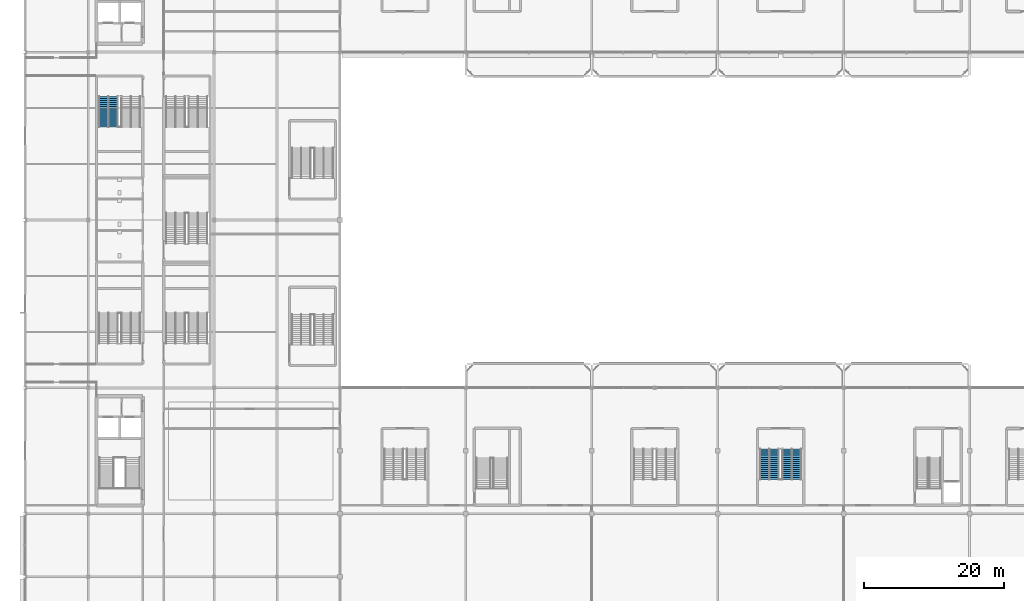
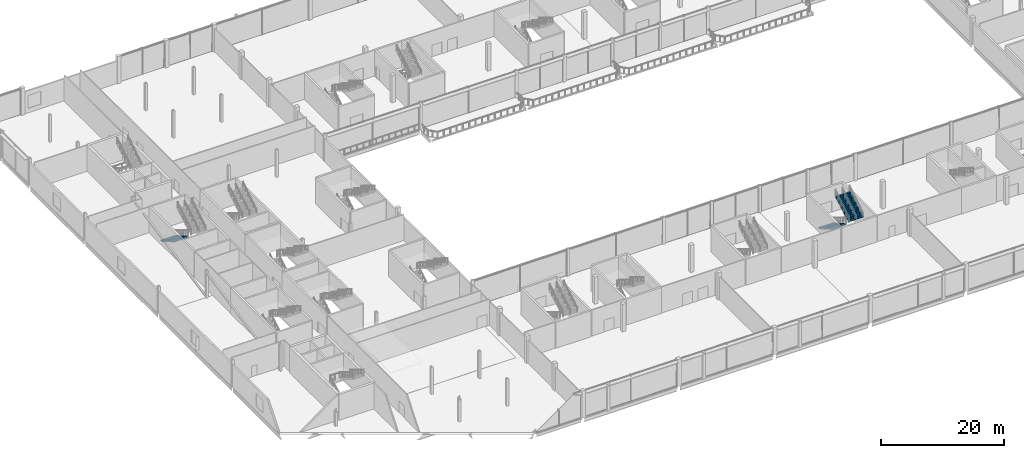
# One storey, part 84 of 113: 3 stair flights, 2 elements without a shape of their own.
"""IFC4 building model written with IfcOpenShell, lengths in metres."""

from ifc_helpers import new_model, si_unit, direction, frame, origin, place, context, subcontext, project, spatial, polygons, material, type_object, element, aggregate, save


model = new_model("IFC4")

# Units and contexts
model_context = context("Model", 3, precision=1e-05, world=origin(), true_north=direction((0.0, 1.0)))
body_context = subcontext(model_context, "Body", "Model", "MODEL_VIEW")
ifc_project = project(units=[si_unit("LENGTHUNIT", "METRE"), si_unit("AREAUNIT", "SQUARE_METRE"), si_unit("VOLUMEUNIT", "CUBIC_METRE"), si_unit("PLANEANGLEUNIT", "RADIAN"), si_unit("MASSUNIT", "GRAM", prefix="KILO")], contexts=[model_context])

# Site, building, storey
site_placement = place(None, origin())
site = spatial("IfcSite", under=ifc_project, at=site_placement, CompositionType="ELEMENT")
building_placement = place(site_placement, origin())
building = spatial("IfcBuilding", under=site, at=building_placement, Name="Kisiwana Market Hall", CompositionType="ELEMENT")
storey_placement = place(building_placement, frame((0.0, 0.0, 6.0)))
storey = spatial("IfcBuildingStorey", under=building, at=storey_placement, Name="L01", CompositionType="ELEMENT", Elevation=6.0)

# Stair, stair flight
ifc_material_1 = material(Name="Concrete C32/40", Category="concrete")
stair_type = type_object("IfcStairType", Name="ST-ESC-5400", PredefinedType="TWO_STRAIGHT_RUN_STAIR", material=ifc_material_1)
stair_1_placement = place(storey_placement, origin())
stair_1 = element("IfcStair", 1, at=stair_1_placement, inside=storey, type_object=stair_type, Name="Escape stair ST-W4-L01", PredefinedType="TWO_STRAIGHT_RUN_STAIR")
ifc_material_2 = material(Name="Concrete C32/40", Category="concrete")
stair_flight_type = type_object("IfcStairFlightType", Name="SF-ESC-5400", PredefinedType="STRAIGHT", material=ifc_material_2)
stair_flight_1_placement = place(storey_placement, frame((11.889892578125, 77.639892578125, 0.0), z_axis=(0.0, 0.0, 1.0), x_axis=(0.0, -1.0, 0.0)))
stair_flight_1 = element("IfcStairFlight", 2, at=stair_flight_1_placement, type_object=stair_flight_type, Name="ST-W4-L01 flight 1", NumberOfRisers=16, NumberOfTreads=15, PredefinedType="STRAIGHT", RiserHeight=0.16875, TreadLength=0.29, context=body_context, shape_type="Tessellation", body=[
    polygons([(0.0, -1.380127, 0.0), (0.0, -0.690125, 0.0), (0.0, -0.000122, 0.0), (0.0, 0.68988, 0.0), (0.0, 1.379883, 0.0), (0.0, -1.380127, 0.168701), (0.0, -0.690125, 0.168701), (0.0, -0.000122, 0.168701), (0.0, 0.68988, 0.168701), (0.0, 1.379883, 0.168701), (0.290039, -1.380127, 0.168701), (0.290039, -0.690125, 0.168701), (0.290039, -0.000122, 0.168701), (0.290039, 0.68988, 0.168701), (0.290039, 1.379883, 0.168701), (0.290039, -1.380127, 0.337402), (0.290039, -0.690125, 0.337402), (0.290039, -0.000122, 0.337402), (0.290039, 0.68988, 0.337402), (0.290039, 1.379883, 0.337402), (0.580078, -1.380127, 0.337402), (0.580078, -0.690125, 0.337402), (0.580078, -0.000122, 0.337402), (0.580078, 0.68988, 0.337402), (0.580078, 1.379883, 0.337402), (0.580078, -1.380127, 0.506348), (0.580078, -0.690125, 0.506348), (0.580078, -0.000122, 0.506348), (0.580078, 0.68988, 0.506348), (0.580078, 1.379883, 0.506348), (0.870117, -1.380127, 0.506348), (0.870117, -0.690125, 0.506348), (0.870117, -0.000122, 0.506348), (0.870117, 0.68988, 0.506348), (0.870117, 1.379883, 0.506348), (0.870117, -1.380127, 0.675049), (0.870117, -0.690125, 0.675049), (0.870117, -0.000122, 0.675049), (0.870117, 0.68988, 0.675049), (0.870117, 1.379883, 0.675049), (1.159912, -1.380127, 0.675049), (1.159912, -0.690125, 0.675049), (1.159912, -0.000122, 0.675049), (1.159912, 0.68988, 0.675049), (1.159912, 1.379883, 0.675049), (1.159912, -1.380127, 0.84375), (1.159912, -0.690125, 0.84375), (1.159912, -0.000122, 0.84375), (1.159912, 0.68988, 0.84375), (1.159912, 1.379883, 0.84375), (1.449951, -1.380127, 0.84375), (1.449951, -0.690125, 0.84375), (1.449951, -0.000122, 0.84375), (1.449951, 0.68988, 0.84375), (1.449951, 1.379883, 0.84375), (1.449951, -1.380127, 1.012451), (1.449951, -0.690125, 1.012451), (1.449951, -0.000122, 1.012451), (1.449951, 0.68988, 1.012451), (1.449951, 1.379883, 1.012451), (1.73999, -1.380127, 1.012451), (1.73999, -0.690125, 1.012451), (1.73999, -0.000122, 1.012451), (1.73999, 0.68988, 1.012451), (1.73999, 1.379883, 1.012451), (1.73999, -1.380127, 1.181152), (1.73999, -0.690125, 1.181152), (1.73999, -0.000122, 1.181152), (1.73999, 0.68988, 1.181152), (1.73999, 1.379883, 1.181152), (2.030029, -1.380127, 1.181152), (2.030029, -0.690125, 1.181152), (2.030029, -0.000122, 1.181152), (2.030029, 0.68988, 1.181152), (2.030029, 1.379883, 1.181152), (2.030029, -1.380127, 1.350098), (2.030029, -0.690125, 1.350098), (2.030029, -0.000122, 1.350098), (2.030029, 0.68988, 1.350098), (2.030029, 1.379883, 1.350098), (2.320068, -1.380127, 1.350098), (2.320068, -0.690125, 1.350098), (2.320068, -0.000122, 1.350098), (2.320068, 0.68988, 1.350098), (2.320068, 1.379883, 1.350098), (2.320068, -1.380127, 1.518799), (2.320068, -0.690125, 1.518799), (2.320068, -0.000122, 1.518799), (2.320068, 0.68988, 1.518799), (2.320068, 1.379883, 1.518799), (2.610107, -1.380127, 1.518799), (2.610107, -0.690125, 1.518799), (2.610107, -0.000122, 1.518799), (2.610107, 0.68988, 1.518799), (2.610107, 1.379883, 1.518799), (2.610107, -1.380127, 1.6875), (2.610107, -0.690125, 1.6875), (2.610107, -0.000122, 1.6875), (2.610107, 0.68988, 1.6875), (2.610107, 1.379883, 1.6875), (2.899902, -1.380127, 1.6875), (2.899902, -0.690125, 1.6875), (2.899902, -0.000122, 1.6875), (2.899902, 0.68988, 1.6875), (2.899902, 1.379883, 1.6875), (2.899902, -1.380127, 1.856201), (2.899902, -0.690125, 1.856201), (2.899902, -0.000122, 1.856201), (2.899902, 0.68988, 1.856201), (2.899902, 1.379883, 1.856201), (3.189941, -1.380127, 1.856201), (3.189941, -0.690125, 1.856201), (3.189941, -0.000122, 1.856201), (3.189941, 0.68988, 1.856201), (3.189941, 1.379883, 1.856201), (3.189941, -1.380127, 2.024902), (3.189941, -0.690125, 2.024902), (3.189941, -0.000122, 2.024902), (3.189941, 0.68988, 2.024902), (3.189941, 1.379883, 2.024902), (3.47998, -1.380127, 2.024902), (3.47998, -0.690125, 2.024902), (3.47998, -0.000122, 2.024902), (3.47998, 0.68988, 2.024902), (3.47998, 1.379883, 2.024902), (3.47998, -1.380127, 2.193848), (3.47998, -0.690125, 2.193848), (3.47998, -0.000122, 2.193848), (3.47998, 0.68988, 2.193848), (3.47998, 1.379883, 2.193848), (3.77002, -1.380127, 2.193848), (3.77002, -0.690125, 2.193848), (3.77002, -0.000122, 2.193848), (3.77002, 0.68988, 2.193848), (3.77002, 1.379883, 2.193848), (3.77002, -1.380127, 2.362549), (3.77002, -0.690125, 2.362549), (3.77002, -0.000122, 2.362549), (3.77002, 0.68988, 2.362549), (3.77002, 1.379883, 2.362549), (4.060059, -1.380127, 2.362549), (4.060059, -0.690125, 2.362549), (4.060059, -0.000122, 2.362549), (4.060059, 0.68988, 2.362549), (4.060059, 1.379883, 2.362549), (4.060059, -1.380127, 2.53125), (4.060059, -0.690125, 2.53125), (4.060059, -0.000122, 2.53125), (4.060059, 0.68988, 2.53125), (4.060059, 1.379883, 2.53125), (4.350098, -1.380127, 2.53125), (4.350098, -0.690125, 2.53125), (4.350098, -0.000122, 2.53125), (4.350098, 0.68988, 2.53125), (4.350098, 1.379883, 2.53125), (4.350098, -1.380127, 2.322998), (4.350098, -0.690125, 2.322998), (4.350098, -0.000122, 2.322998), (4.350098, 0.68988, 2.322998), (4.350098, 1.379883, 2.322998), (0.357666, -1.380127, 0.0), (0.357666, -0.690125, 0.0), (0.357666, -0.000122, 0.0), (0.357666, 0.68988, 0.0), (0.357666, 1.379883, 0.0)], [[[1, 6, 7, 2]], [[2, 7, 8, 3]], [[3, 8, 9, 4]], [[4, 9, 10, 5]], [[6, 11, 12, 7]], [[7, 12, 13, 8]], [[8, 13, 14, 9]], [[9, 14, 15, 10]], [[11, 16, 17, 12]], [[12, 17, 18, 13]], [[13, 18, 19, 14]], [[14, 19, 20, 15]], [[16, 21, 22, 17]], [[17, 22, 23, 18]], [[18, 23, 24, 19]], [[19, 24, 25, 20]], [[21, 26, 27, 22]], [[22, 27, 28, 23]], [[23, 28, 29, 24]], [[24, 29, 30, 25]], [[26, 31, 32, 27]], [[27, 32, 33, 28]], [[28, 33, 34, 29]], [[29, 34, 35, 30]], [[31, 36, 37, 32]], [[32, 37, 38, 33]], [[33, 38, 39, 34]], [[34, 39, 40, 35]], [[36, 41, 42, 37]], [[37, 42, 43, 38]], [[38, 43, 44, 39]], [[39, 44, 45, 40]], [[41, 46, 47, 42]], [[42, 47, 48, 43]], [[43, 48, 49, 44]], [[44, 49, 50, 45]], [[46, 51, 52, 47]], [[47, 52, 53, 48]], [[48, 53, 54, 49]], [[49, 54, 55, 50]], [[51, 56, 57, 52]], [[52, 57, 58, 53]], [[53, 58, 59, 54]], [[54, 59, 60, 55]], [[56, 61, 62, 57]], [[57, 62, 63, 58]], [[58, 63, 64, 59]], [[59, 64, 65, 60]], [[61, 66, 67, 62]], [[62, 67, 68, 63]], [[63, 68, 69, 64]], [[64, 69, 70, 65]], [[66, 71, 72, 67]], [[67, 72, 73, 68]], [[68, 73, 74, 69]], [[69, 74, 75, 70]], [[71, 76, 77, 72]], [[72, 77, 78, 73]], [[73, 78, 79, 74]], [[74, 79, 80, 75]], [[76, 81, 82, 77]], [[77, 82, 83, 78]], [[78, 83, 84, 79]], [[79, 84, 85, 80]], [[81, 86, 87, 82]], [[82, 87, 88, 83]], [[83, 88, 89, 84]], [[84, 89, 90, 85]], [[86, 91, 92, 87]], [[87, 92, 93, 88]], [[88, 93, 94, 89]], [[89, 94, 95, 90]], [[91, 96, 97, 92]], [[92, 97, 98, 93]], [[93, 98, 99, 94]], [[94, 99, 100, 95]], [[96, 101, 102, 97]], [[97, 102, 103, 98]], [[98, 103, 104, 99]], [[99, 104, 105, 100]], [[101, 106, 107, 102]], [[102, 107, 108, 103]], [[103, 108, 109, 104]], [[104, 109, 110, 105]], [[106, 111, 112, 107]], [[107, 112, 113, 108]], [[108, 113, 114, 109]], [[109, 114, 115, 110]], [[111, 116, 117, 112]], [[112, 117, 118, 113]], [[113, 118, 119, 114]], [[114, 119, 120, 115]], [[116, 121, 122, 117]], [[117, 122, 123, 118]], [[118, 123, 124, 119]], [[119, 124, 125, 120]], [[121, 126, 127, 122]], [[122, 127, 128, 123]], [[123, 128, 129, 124]], [[124, 129, 130, 125]], [[126, 131, 132, 127]], [[127, 132, 133, 128]], [[128, 133, 134, 129]], [[129, 134, 135, 130]], [[131, 136, 137, 132]], [[132, 137, 138, 133]], [[133, 138, 139, 134]], [[134, 139, 140, 135]], [[136, 141, 142, 137]], [[137, 142, 143, 138]], [[138, 143, 144, 139]], [[139, 144, 145, 140]], [[141, 146, 147, 142]], [[142, 147, 148, 143]], [[143, 148, 149, 144]], [[144, 149, 150, 145]], [[146, 151, 152, 147]], [[147, 152, 153, 148]], [[148, 153, 154, 149]], [[149, 154, 155, 150]], [[151, 156, 157, 152]], [[152, 157, 158, 153]], [[153, 158, 159, 154]], [[154, 159, 160, 155]], [[156, 161, 162, 157]], [[157, 162, 163, 158]], [[158, 163, 164, 159]], [[159, 164, 165, 160]], [[161, 1, 2, 162]], [[162, 2, 3, 163]], [[163, 3, 4, 164]], [[164, 4, 5, 165]], [[161, 156, 151, 146, 141, 136, 131, 126, 121, 116, 111, 106, 101, 96, 91, 86, 81, 76, 71, 66, 61, 56, 51, 46, 41, 36, 31, 26, 21, 16, 11, 6, 1]], [[5, 10, 15, 20, 25, 30, 35, 40, 45, 50, 55, 60, 65, 70, 75, 80, 85, 90, 95, 100, 105, 110, 115, 120, 125, 130, 135, 140, 145, 150, 155, 160, 165]]], closed=True),
])
aggregate(stair_1, [stair_flight_1])

# Stair, stair flights
stair_2_placement = place(storey_placement, origin())
stair_2 = element("IfcStair", 3, at=stair_2_placement, inside=storey, type_object=stair_type, Name="Escape stair ST-S5-L01", PredefinedType="TWO_STRAIGHT_RUN_STAIR")
stair_flight_2_placement = place(storey_placement, frame((106.389892578125, 27.239990234375, 0.0), z_axis=(0.0, 0.0, 1.0), x_axis=(0.0, -1.0, 0.0)))
stair_flight_2 = element("IfcStairFlight", 4, at=stair_flight_2_placement, type_object=stair_flight_type, Name="ST-S5-L01 flight 1", NumberOfRisers=16, NumberOfTreads=15, PredefinedType="STRAIGHT", RiserHeight=0.16875, TreadLength=0.29, context=body_context, shape_type="Tessellation", body=[
    polygons([(0.0, -1.380127, 0.0), (0.0, -0.690125, 0.0), (0.0, -0.000122, 0.0), (0.0, 0.68988, 0.0), (0.0, 1.379883, 0.0), (0.0, -1.380127, 0.168701), (0.0, -0.690125, 0.168701), (0.0, -0.000122, 0.168701), (0.0, 0.68988, 0.168701), (0.0, 1.379883, 0.168701), (0.290039, -1.380127, 0.168701), (0.290039, -0.690125, 0.168701), (0.290039, -0.000122, 0.168701), (0.290039, 0.68988, 0.168701), (0.290039, 1.379883, 0.168701), (0.290039, -1.380127, 0.337402), (0.290039, -0.690125, 0.337402), (0.290039, -0.000122, 0.337402), (0.290039, 0.68988, 0.337402), (0.290039, 1.379883, 0.337402), (0.580078, -1.380127, 0.337402), (0.580078, -0.690125, 0.337402), (0.580078, -0.000122, 0.337402), (0.580078, 0.68988, 0.337402), (0.580078, 1.379883, 0.337402), (0.580078, -1.380127, 0.506348), (0.580078, -0.690125, 0.506348), (0.580078, -0.000122, 0.506348), (0.580078, 0.68988, 0.506348), (0.580078, 1.379883, 0.506348), (0.870117, -1.380127, 0.506348), (0.870117, -0.690125, 0.506348), (0.870117, -0.000122, 0.506348), (0.870117, 0.68988, 0.506348), (0.870117, 1.379883, 0.506348), (0.870117, -1.380127, 0.675049), (0.870117, -0.690125, 0.675049), (0.870117, -0.000122, 0.675049), (0.870117, 0.68988, 0.675049), (0.870117, 1.379883, 0.675049), (1.159912, -1.380127, 0.675049), (1.159912, -0.690125, 0.675049), (1.159912, -0.000122, 0.675049), (1.159912, 0.68988, 0.675049), (1.159912, 1.379883, 0.675049), (1.159912, -1.380127, 0.84375), (1.159912, -0.690125, 0.84375), (1.159912, -0.000122, 0.84375), (1.159912, 0.68988, 0.84375), (1.159912, 1.379883, 0.84375), (1.449951, -1.380127, 0.84375), (1.449951, -0.690125, 0.84375), (1.449951, -0.000122, 0.84375), (1.449951, 0.68988, 0.84375), (1.449951, 1.379883, 0.84375), (1.449951, -1.380127, 1.012451), (1.449951, -0.690125, 1.012451), (1.449951, -0.000122, 1.012451), (1.449951, 0.68988, 1.012451), (1.449951, 1.379883, 1.012451), (1.73999, -1.380127, 1.012451), (1.73999, -0.690125, 1.012451), (1.73999, -0.000122, 1.012451), (1.73999, 0.68988, 1.012451), (1.73999, 1.379883, 1.012451), (1.73999, -1.380127, 1.181152), (1.73999, -0.690125, 1.181152), (1.73999, -0.000122, 1.181152), (1.73999, 0.68988, 1.181152), (1.73999, 1.379883, 1.181152), (2.030029, -1.380127, 1.181152), (2.030029, -0.690125, 1.181152), (2.030029, -0.000122, 1.181152), (2.030029, 0.68988, 1.181152), (2.030029, 1.379883, 1.181152), (2.030029, -1.380127, 1.350098), (2.030029, -0.690125, 1.350098), (2.030029, -0.000122, 1.350098), (2.030029, 0.68988, 1.350098), (2.030029, 1.379883, 1.350098), (2.320068, -1.380127, 1.350098), (2.320068, -0.690125, 1.350098), (2.320068, -0.000122, 1.350098), (2.320068, 0.68988, 1.350098), (2.320068, 1.379883, 1.350098), (2.320068, -1.380127, 1.518799), (2.320068, -0.690125, 1.518799), (2.320068, -0.000122, 1.518799), (2.320068, 0.68988, 1.518799), (2.320068, 1.379883, 1.518799), (2.610107, -1.380127, 1.518799), (2.610107, -0.690125, 1.518799), (2.610107, -0.000122, 1.518799), (2.610107, 0.68988, 1.518799), (2.610107, 1.379883, 1.518799), (2.610107, -1.380127, 1.6875), (2.610107, -0.690125, 1.6875), (2.610107, -0.000122, 1.6875), (2.610107, 0.68988, 1.6875), (2.610107, 1.379883, 1.6875), (2.899902, -1.380127, 1.6875), (2.899902, -0.690125, 1.6875), (2.899902, -0.000122, 1.6875), (2.899902, 0.68988, 1.6875), (2.899902, 1.379883, 1.6875), (2.899902, -1.380127, 1.856201), (2.899902, -0.690125, 1.856201), (2.899902, -0.000122, 1.856201), (2.899902, 0.68988, 1.856201), (2.899902, 1.379883, 1.856201), (3.189941, -1.380127, 1.856201), (3.189941, -0.690125, 1.856201), (3.189941, -0.000122, 1.856201), (3.189941, 0.68988, 1.856201), (3.189941, 1.379883, 1.856201), (3.189941, -1.380127, 2.024902), (3.189941, -0.690125, 2.024902), (3.189941, -0.000122, 2.024902), (3.189941, 0.68988, 2.024902), (3.189941, 1.379883, 2.024902), (3.47998, -1.380127, 2.024902), (3.47998, -0.690125, 2.024902), (3.47998, -0.000122, 2.024902), (3.47998, 0.68988, 2.024902), (3.47998, 1.379883, 2.024902), (3.47998, -1.380127, 2.193848), (3.47998, -0.690125, 2.193848), (3.47998, -0.000122, 2.193848), (3.47998, 0.68988, 2.193848), (3.47998, 1.379883, 2.193848), (3.77002, -1.380127, 2.193848), (3.77002, -0.690125, 2.193848), (3.77002, -0.000122, 2.193848), (3.77002, 0.68988, 2.193848), (3.77002, 1.379883, 2.193848), (3.77002, -1.380127, 2.362549), (3.77002, -0.690125, 2.362549), (3.77002, -0.000122, 2.362549), (3.77002, 0.68988, 2.362549), (3.77002, 1.379883, 2.362549), (4.060059, -1.380127, 2.362549), (4.060059, -0.690125, 2.362549), (4.060059, -0.000122, 2.362549), (4.060059, 0.68988, 2.362549), (4.060059, 1.379883, 2.362549), (4.060059, -1.380127, 2.53125), (4.060059, -0.690125, 2.53125), (4.060059, -0.000122, 2.53125), (4.060059, 0.68988, 2.53125), (4.060059, 1.379883, 2.53125), (4.350098, -1.380127, 2.53125), (4.350098, -0.690125, 2.53125), (4.350098, -0.000122, 2.53125), (4.350098, 0.68988, 2.53125), (4.350098, 1.379883, 2.53125), (4.350098, -1.380127, 2.322998), (4.350098, -0.690125, 2.322998), (4.350098, -0.000122, 2.322998), (4.350098, 0.68988, 2.322998), (4.350098, 1.379883, 2.322998), (0.357666, -1.380127, 0.0), (0.357666, -0.690125, 0.0), (0.357666, -0.000122, 0.0), (0.357666, 0.68988, 0.0), (0.357666, 1.379883, 0.0)], [[[1, 6, 7, 2]], [[2, 7, 8, 3]], [[3, 8, 9, 4]], [[4, 9, 10, 5]], [[6, 11, 12, 7]], [[7, 12, 13, 8]], [[8, 13, 14, 9]], [[9, 14, 15, 10]], [[11, 16, 17, 12]], [[12, 17, 18, 13]], [[13, 18, 19, 14]], [[14, 19, 20, 15]], [[16, 21, 22, 17]], [[17, 22, 23, 18]], [[18, 23, 24, 19]], [[19, 24, 25, 20]], [[21, 26, 27, 22]], [[22, 27, 28, 23]], [[23, 28, 29, 24]], [[24, 29, 30, 25]], [[26, 31, 32, 27]], [[27, 32, 33, 28]], [[28, 33, 34, 29]], [[29, 34, 35, 30]], [[31, 36, 37, 32]], [[32, 37, 38, 33]], [[33, 38, 39, 34]], [[34, 39, 40, 35]], [[36, 41, 42, 37]], [[37, 42, 43, 38]], [[38, 43, 44, 39]], [[39, 44, 45, 40]], [[41, 46, 47, 42]], [[42, 47, 48, 43]], [[43, 48, 49, 44]], [[44, 49, 50, 45]], [[46, 51, 52, 47]], [[47, 52, 53, 48]], [[48, 53, 54, 49]], [[49, 54, 55, 50]], [[51, 56, 57, 52]], [[52, 57, 58, 53]], [[53, 58, 59, 54]], [[54, 59, 60, 55]], [[56, 61, 62, 57]], [[57, 62, 63, 58]], [[58, 63, 64, 59]], [[59, 64, 65, 60]], [[61, 66, 67, 62]], [[62, 67, 68, 63]], [[63, 68, 69, 64]], [[64, 69, 70, 65]], [[66, 71, 72, 67]], [[67, 72, 73, 68]], [[68, 73, 74, 69]], [[69, 74, 75, 70]], [[71, 76, 77, 72]], [[72, 77, 78, 73]], [[73, 78, 79, 74]], [[74, 79, 80, 75]], [[76, 81, 82, 77]], [[77, 82, 83, 78]], [[78, 83, 84, 79]], [[79, 84, 85, 80]], [[81, 86, 87, 82]], [[82, 87, 88, 83]], [[83, 88, 89, 84]], [[84, 89, 90, 85]], [[86, 91, 92, 87]], [[87, 92, 93, 88]], [[88, 93, 94, 89]], [[89, 94, 95, 90]], [[91, 96, 97, 92]], [[92, 97, 98, 93]], [[93, 98, 99, 94]], [[94, 99, 100, 95]], [[96, 101, 102, 97]], [[97, 102, 103, 98]], [[98, 103, 104, 99]], [[99, 104, 105, 100]], [[101, 106, 107, 102]], [[102, 107, 108, 103]], [[103, 108, 109, 104]], [[104, 109, 110, 105]], [[106, 111, 112, 107]], [[107, 112, 113, 108]], [[108, 113, 114, 109]], [[109, 114, 115, 110]], [[111, 116, 117, 112]], [[112, 117, 118, 113]], [[113, 118, 119, 114]], [[114, 119, 120, 115]], [[116, 121, 122, 117]], [[117, 122, 123, 118]], [[118, 123, 124, 119]], [[119, 124, 125, 120]], [[121, 126, 127, 122]], [[122, 127, 128, 123]], [[123, 128, 129, 124]], [[124, 129, 130, 125]], [[126, 131, 132, 127]], [[127, 132, 133, 128]], [[128, 133, 134, 129]], [[129, 134, 135, 130]], [[131, 136, 137, 132]], [[132, 137, 138, 133]], [[133, 138, 139, 134]], [[134, 139, 140, 135]], [[136, 141, 142, 137]], [[137, 142, 143, 138]], [[138, 143, 144, 139]], [[139, 144, 145, 140]], [[141, 146, 147, 142]], [[142, 147, 148, 143]], [[143, 148, 149, 144]], [[144, 149, 150, 145]], [[146, 151, 152, 147]], [[147, 152, 153, 148]], [[148, 153, 154, 149]], [[149, 154, 155, 150]], [[151, 156, 157, 152]], [[152, 157, 158, 153]], [[153, 158, 159, 154]], [[154, 159, 160, 155]], [[156, 161, 162, 157]], [[157, 162, 163, 158]], [[158, 163, 164, 159]], [[159, 164, 165, 160]], [[161, 1, 2, 162]], [[162, 2, 3, 163]], [[163, 3, 4, 164]], [[164, 4, 5, 165]], [[161, 156, 151, 146, 141, 136, 131, 126, 121, 116, 111, 106, 101, 96, 91, 86, 81, 76, 71, 66, 61, 56, 51, 46, 41, 36, 31, 26, 21, 16, 11, 6, 1]], [[5, 10, 15, 20, 25, 30, 35, 40, 45, 50, 55, 60, 65, 70, 75, 80, 85, 90, 95, 100, 105, 110, 115, 120, 125, 130, 135, 140, 145, 150, 155, 160, 165]]], closed=True),
])
stair_flight_3_placement = place(storey_placement, frame((109.610107421875, 22.889892578125, 2.699951171875), z_axis=(0.0, 0.0, 1.0), x_axis=(0.0, 1.0, 0.0)))
stair_flight_3 = element("IfcStairFlight", 5, at=stair_flight_3_placement, type_object=stair_flight_type, Name="ST-S5-L01 flight 2", NumberOfRisers=16, NumberOfTreads=15, PredefinedType="STRAIGHT", RiserHeight=0.16875, TreadLength=0.29, context=body_context, shape_type="Tessellation", body=[
    polygons([(0.0, -1.380127, 0.0), (0.0, -0.690125, 0.0), (0.0, -0.000122, 0.0), (0.0, 0.68988, 0.0), (0.0, 1.379883, 0.0), (0.0, -1.380127, 0.168701), (0.0, -0.690125, 0.168701), (0.0, -0.000122, 0.168701), (0.0, 0.68988, 0.168701), (0.0, 1.379883, 0.168701), (0.290039, -1.380127, 0.168701), (0.290039, -0.690125, 0.168701), (0.290039, -0.000122, 0.168701), (0.290039, 0.68988, 0.168701), (0.290039, 1.379883, 0.168701), (0.290039, -1.380127, 0.337402), (0.290039, -0.690125, 0.337402), (0.290039, -0.000122, 0.337402), (0.290039, 0.68988, 0.337402), (0.290039, 1.379883, 0.337402), (0.580078, -1.380127, 0.337402), (0.580078, -0.690125, 0.337402), (0.580078, -0.000122, 0.337402), (0.580078, 0.68988, 0.337402), (0.580078, 1.379883, 0.337402), (0.580078, -1.380127, 0.506348), (0.580078, -0.690125, 0.506348), (0.580078, -0.000122, 0.506348), (0.580078, 0.68988, 0.506348), (0.580078, 1.379883, 0.506348), (0.870117, -1.380127, 0.506348), (0.870117, -0.690125, 0.506348), (0.870117, -0.000122, 0.506348), (0.870117, 0.68988, 0.506348), (0.870117, 1.379883, 0.506348), (0.870117, -1.380127, 0.675049), (0.870117, -0.690125, 0.675049), (0.870117, -0.000122, 0.675049), (0.870117, 0.68988, 0.675049), (0.870117, 1.379883, 0.675049), (1.159912, -1.380127, 0.675049), (1.159912, -0.690125, 0.675049), (1.159912, -0.000122, 0.675049), (1.159912, 0.68988, 0.675049), (1.159912, 1.379883, 0.675049), (1.159912, -1.380127, 0.84375), (1.159912, -0.690125, 0.84375), (1.159912, -0.000122, 0.84375), (1.159912, 0.68988, 0.84375), (1.159912, 1.379883, 0.84375), (1.449951, -1.380127, 0.84375), (1.449951, -0.690125, 0.84375), (1.449951, -0.000122, 0.84375), (1.449951, 0.68988, 0.84375), (1.449951, 1.379883, 0.84375), (1.449951, -1.380127, 1.012451), (1.449951, -0.690125, 1.012451), (1.449951, -0.000122, 1.012451), (1.449951, 0.68988, 1.012451), (1.449951, 1.379883, 1.012451), (1.73999, -1.380127, 1.012451), (1.73999, -0.690125, 1.012451), (1.73999, -0.000122, 1.012451), (1.73999, 0.68988, 1.012451), (1.73999, 1.379883, 1.012451), (1.73999, -1.380127, 1.181152), (1.73999, -0.690125, 1.181152), (1.73999, -0.000122, 1.181152), (1.73999, 0.68988, 1.181152), (1.73999, 1.379883, 1.181152), (2.030029, -1.380127, 1.181152), (2.030029, -0.690125, 1.181152), (2.030029, -0.000122, 1.181152), (2.030029, 0.68988, 1.181152), (2.030029, 1.379883, 1.181152), (2.030029, -1.380127, 1.350098), (2.030029, -0.690125, 1.350098), (2.030029, -0.000122, 1.350098), (2.030029, 0.68988, 1.350098), (2.030029, 1.379883, 1.350098), (2.320068, -1.380127, 1.350098), (2.320068, -0.690125, 1.350098), (2.320068, -0.000122, 1.350098), (2.320068, 0.68988, 1.350098), (2.320068, 1.379883, 1.350098), (2.320068, -1.380127, 1.518799), (2.320068, -0.690125, 1.518799), (2.320068, -0.000122, 1.518799), (2.320068, 0.68988, 1.518799), (2.320068, 1.379883, 1.518799), (2.610107, -1.380127, 1.518799), (2.610107, -0.690125, 1.518799), (2.610107, -0.000122, 1.518799), (2.610107, 0.68988, 1.518799), (2.610107, 1.379883, 1.518799), (2.610107, -1.380127, 1.6875), (2.610107, -0.690125, 1.6875), (2.610107, -0.000122, 1.6875), (2.610107, 0.68988, 1.6875), (2.610107, 1.379883, 1.6875), (2.899902, -1.380127, 1.6875), (2.899902, -0.690125, 1.6875), (2.899902, -0.000122, 1.6875), (2.899902, 0.68988, 1.6875), (2.899902, 1.379883, 1.6875), (2.899902, -1.380127, 1.856201), (2.899902, -0.690125, 1.856201), (2.899902, -0.000122, 1.856201), (2.899902, 0.68988, 1.856201), (2.899902, 1.379883, 1.856201), (3.189941, -1.380127, 1.856201), (3.189941, -0.690125, 1.856201), (3.189941, -0.000122, 1.856201), (3.189941, 0.68988, 1.856201), (3.189941, 1.379883, 1.856201), (3.189941, -1.380127, 2.024902), (3.189941, -0.690125, 2.024902), (3.189941, -0.000122, 2.024902), (3.189941, 0.68988, 2.024902), (3.189941, 1.379883, 2.024902), (3.47998, -1.380127, 2.024902), (3.47998, -0.690125, 2.024902), (3.47998, -0.000122, 2.024902), (3.47998, 0.68988, 2.024902), (3.47998, 1.379883, 2.024902), (3.47998, -1.380127, 2.193848), (3.47998, -0.690125, 2.193848), (3.47998, -0.000122, 2.193848), (3.47998, 0.68988, 2.193848), (3.47998, 1.379883, 2.193848), (3.77002, -1.380127, 2.193848), (3.77002, -0.690125, 2.193848), (3.77002, -0.000122, 2.193848), (3.77002, 0.68988, 2.193848), (3.77002, 1.379883, 2.193848), (3.77002, -1.380127, 2.362549), (3.77002, -0.690125, 2.362549), (3.77002, -0.000122, 2.362549), (3.77002, 0.68988, 2.362549), (3.77002, 1.379883, 2.362549), (4.060059, -1.380127, 2.362549), (4.060059, -0.690125, 2.362549), (4.060059, -0.000122, 2.362549), (4.060059, 0.68988, 2.362549), (4.060059, 1.379883, 2.362549), (4.060059, -1.380127, 2.53125), (4.060059, -0.690125, 2.53125), (4.060059, -0.000122, 2.53125), (4.060059, 0.68988, 2.53125), (4.060059, 1.379883, 2.53125), (4.350098, -1.380127, 2.53125), (4.350098, -0.690125, 2.53125), (4.350098, -0.000122, 2.53125), (4.350098, 0.68988, 2.53125), (4.350098, 1.379883, 2.53125), (4.350098, -1.380127, 2.322998), (4.350098, -0.690125, 2.322998), (4.350098, -0.000122, 2.322998), (4.350098, 0.68988, 2.322998), (4.350098, 1.379883, 2.322998), (0.357666, -1.380127, 0.0), (0.357666, -0.690125, 0.0), (0.357666, -0.000122, 0.0), (0.357666, 0.68988, 0.0), (0.357666, 1.379883, 0.0)], [[[1, 6, 7, 2]], [[2, 7, 8, 3]], [[3, 8, 9, 4]], [[4, 9, 10, 5]], [[6, 11, 12, 7]], [[7, 12, 13, 8]], [[8, 13, 14, 9]], [[9, 14, 15, 10]], [[11, 16, 17, 12]], [[12, 17, 18, 13]], [[13, 18, 19, 14]], [[14, 19, 20, 15]], [[16, 21, 22, 17]], [[17, 22, 23, 18]], [[18, 23, 24, 19]], [[19, 24, 25, 20]], [[21, 26, 27, 22]], [[22, 27, 28, 23]], [[23, 28, 29, 24]], [[24, 29, 30, 25]], [[26, 31, 32, 27]], [[27, 32, 33, 28]], [[28, 33, 34, 29]], [[29, 34, 35, 30]], [[31, 36, 37, 32]], [[32, 37, 38, 33]], [[33, 38, 39, 34]], [[34, 39, 40, 35]], [[36, 41, 42, 37]], [[37, 42, 43, 38]], [[38, 43, 44, 39]], [[39, 44, 45, 40]], [[41, 46, 47, 42]], [[42, 47, 48, 43]], [[43, 48, 49, 44]], [[44, 49, 50, 45]], [[46, 51, 52, 47]], [[47, 52, 53, 48]], [[48, 53, 54, 49]], [[49, 54, 55, 50]], [[51, 56, 57, 52]], [[52, 57, 58, 53]], [[53, 58, 59, 54]], [[54, 59, 60, 55]], [[56, 61, 62, 57]], [[57, 62, 63, 58]], [[58, 63, 64, 59]], [[59, 64, 65, 60]], [[61, 66, 67, 62]], [[62, 67, 68, 63]], [[63, 68, 69, 64]], [[64, 69, 70, 65]], [[66, 71, 72, 67]], [[67, 72, 73, 68]], [[68, 73, 74, 69]], [[69, 74, 75, 70]], [[71, 76, 77, 72]], [[72, 77, 78, 73]], [[73, 78, 79, 74]], [[74, 79, 80, 75]], [[76, 81, 82, 77]], [[77, 82, 83, 78]], [[78, 83, 84, 79]], [[79, 84, 85, 80]], [[81, 86, 87, 82]], [[82, 87, 88, 83]], [[83, 88, 89, 84]], [[84, 89, 90, 85]], [[86, 91, 92, 87]], [[87, 92, 93, 88]], [[88, 93, 94, 89]], [[89, 94, 95, 90]], [[91, 96, 97, 92]], [[92, 97, 98, 93]], [[93, 98, 99, 94]], [[94, 99, 100, 95]], [[96, 101, 102, 97]], [[97, 102, 103, 98]], [[98, 103, 104, 99]], [[99, 104, 105, 100]], [[101, 106, 107, 102]], [[102, 107, 108, 103]], [[103, 108, 109, 104]], [[104, 109, 110, 105]], [[106, 111, 112, 107]], [[107, 112, 113, 108]], [[108, 113, 114, 109]], [[109, 114, 115, 110]], [[111, 116, 117, 112]], [[112, 117, 118, 113]], [[113, 118, 119, 114]], [[114, 119, 120, 115]], [[116, 121, 122, 117]], [[117, 122, 123, 118]], [[118, 123, 124, 119]], [[119, 124, 125, 120]], [[121, 126, 127, 122]], [[122, 127, 128, 123]], [[123, 128, 129, 124]], [[124, 129, 130, 125]], [[126, 131, 132, 127]], [[127, 132, 133, 128]], [[128, 133, 134, 129]], [[129, 134, 135, 130]], [[131, 136, 137, 132]], [[132, 137, 138, 133]], [[133, 138, 139, 134]], [[134, 139, 140, 135]], [[136, 141, 142, 137]], [[137, 142, 143, 138]], [[138, 143, 144, 139]], [[139, 144, 145, 140]], [[141, 146, 147, 142]], [[142, 147, 148, 143]], [[143, 148, 149, 144]], [[144, 149, 150, 145]], [[146, 151, 152, 147]], [[147, 152, 153, 148]], [[148, 153, 154, 149]], [[149, 154, 155, 150]], [[151, 156, 157, 152]], [[152, 157, 158, 153]], [[153, 158, 159, 154]], [[154, 159, 160, 155]], [[156, 161, 162, 157]], [[157, 162, 163, 158]], [[158, 163, 164, 159]], [[159, 164, 165, 160]], [[161, 1, 2, 162]], [[162, 2, 3, 163]], [[163, 3, 4, 164]], [[164, 4, 5, 165]], [[161, 156, 151, 146, 141, 136, 131, 126, 121, 116, 111, 106, 101, 96, 91, 86, 81, 76, 71, 66, 61, 56, 51, 46, 41, 36, 31, 26, 21, 16, 11, 6, 1]], [[5, 10, 15, 20, 25, 30, 35, 40, 45, 50, 55, 60, 65, 70, 75, 80, 85, 90, 95, 100, 105, 110, 115, 120, 125, 130, 135, 140, 145, 150, 155, 160, 165]]], closed=True),
])
aggregate(stair_2, [stair_flight_2, stair_flight_3])

save(model, "model.ifc")
